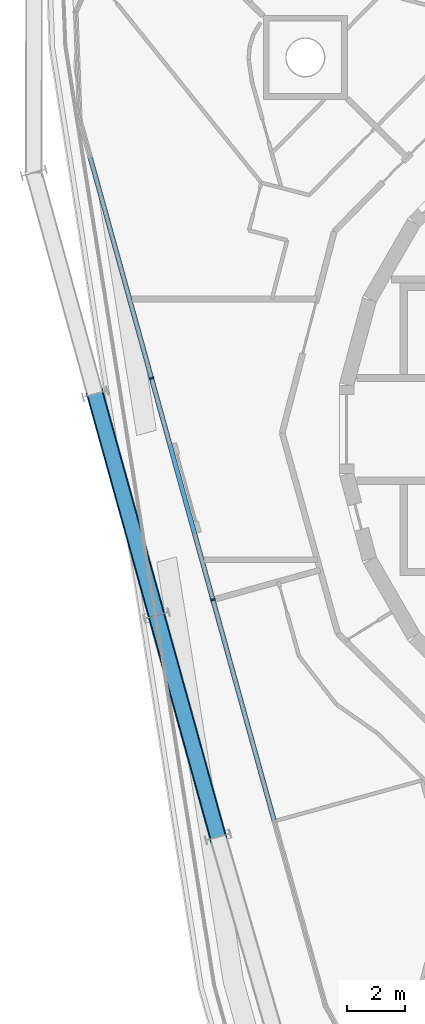
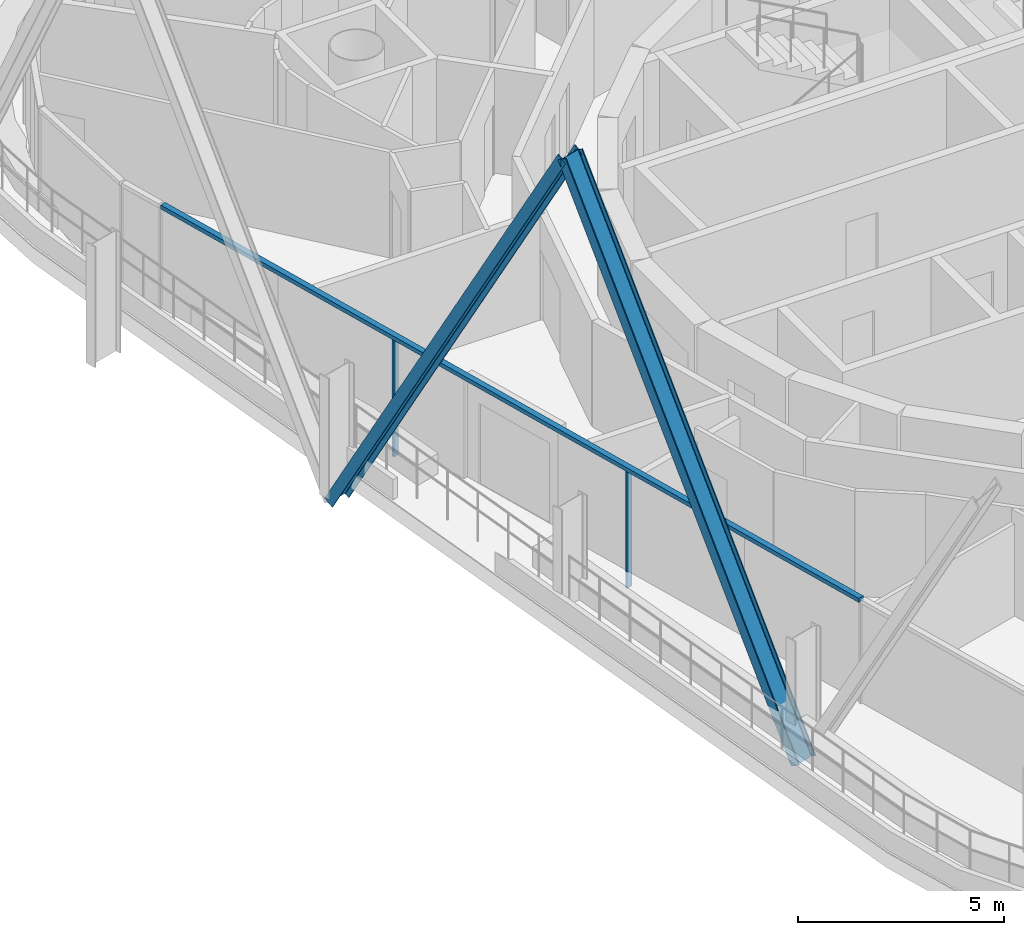
# One storey, part 3 of 18: 5 members, 1 element without a shape of its own.
"""IFC4 building model written with IfcOpenShell, lengths in metres."""

from ifc_helpers import new_model, si_unit, direction, frame, origin, origin_2d, place, context, subcontext, project, spatial, rectangle, i_section, extrude, material, layer, layer_set, material_profile, profile_set, type_object, element, aggregate, save


model = new_model("IFC4")

# Units and contexts
model_context = context("Model", 3, precision=1e-05, world=origin(), true_north=direction((0.0, 1.0)))
body_context = subcontext(model_context, "Body", "Model", "MODEL_VIEW")
ifc_project = project(units=[si_unit("LENGTHUNIT", "METRE"), si_unit("AREAUNIT", "SQUARE_METRE"), si_unit("VOLUMEUNIT", "CUBIC_METRE"), si_unit("PLANEANGLEUNIT", "RADIAN"), si_unit("MASSUNIT", "GRAM", prefix="KILO")], contexts=[model_context])

# Site, building, storey
site_placement = place(None, origin())
site = spatial("IfcSite", under=ifc_project, at=site_placement, CompositionType="ELEMENT")
building_placement = place(site_placement, origin())
building = spatial("IfcBuilding", under=site, at=building_placement, Name="Spindle Arch Residences", CompositionType="ELEMENT")
storey_placement = place(building_placement, frame((0.0, 0.0, 298.199951171875)))
storey = spatial("IfcBuildingStorey", under=building, at=storey_placement, Name="L76", CompositionType="ELEMENT", Elevation=298.199951171875)

# Curtain wall, members
ifc_material_1 = material(Name="Aluminium bronze unitised frame with tinted glass", Category="aluminium")
ifc_layer = layer(ifc_material_1, 0.159912109375)
ifc_layer_set = layer_set([ifc_layer], Name="CW-C typical residential unitised wall")
curtain_wall_type = type_object("IfcCurtainWallType", Name="CW-C typical residential unitised wall", PredefinedType="NOTDEFINED", material=ifc_layer_set)
curtain_wall_placement = place(storey_placement, origin())
curtain_wall = element("IfcCurtainWall", 1, at=curtain_wall_placement, inside=storey, type_object=curtain_wall_type, Name="CW-C L76 run 4", PredefinedType="NOTDEFINED")
ifc_material_2 = material(Name="Aluminium bronze anodised mullion", Category="aluminium")
ifc_material_profile_1 = material_profile(ifc_material_2, rectangle(XDim=0.159912109375, YDim=0.06005859375, at=origin_2d()), Name="MU 60x160")
ifc_profile_set_1 = profile_set([ifc_material_profile_1], Name="Aluminium bronze anodised mullion")
member_type_1 = type_object("IfcMemberType", Name="Bronze mullion 60x160", PredefinedType="MULLION", material=ifc_profile_set_1)
member_1_placement = place(storey_placement, frame((-18.384521484375, 1.763671875, -0.449951171875), z_axis=(0.0, 0.0, 1.0), x_axis=(0.963630453209, 0.267238376078, 0.0)))
member_1 = element("IfcMember", 2, at=member_1_placement, type_object=member_type_1, Name="CW-C mullion 12", PredefinedType="MULLION", context=body_context, shape_type="SweptSolid", body=[
    extrude(rectangle(XDim=0.159912109375, YDim=0.06005859375, at=origin_2d()), origin(), (0.0, 0.0, 1.0), 3.449951171875),
])
member_2_placement = place(storey_placement, frame((-16.263916015625, -5.8828125, -0.449951171875), z_axis=(0.0, 0.0, 1.0), x_axis=(0.963630453209, 0.267238376078, 0.0)))
member_2 = element("IfcMember", 3, at=member_2_placement, type_object=member_type_1, Name="CW-C mullion 13", PredefinedType="MULLION", context=body_context, shape_type="SweptSolid", body=[
    extrude(rectangle(XDim=0.159912109375, YDim=0.06005859375, at=origin_2d()), origin(), (0.0, 0.0, 1.0), 3.449951171875),
])
ifc_material_3 = material(Name="Aluminium bronze anodised transom", Category="aluminium")
ifc_material_profile_2 = material_profile(ifc_material_3, rectangle(XDim=0.159912109375, YDim=0.1201171875, at=origin_2d()), Name="TR 120x160")
ifc_profile_set_2 = profile_set([ifc_material_profile_2], Name="Aluminium bronze anodised transom")
member_type_2 = type_object("IfcMemberType", Name="Bronze transom 120x160", PredefinedType="USERDEFINED", material=ifc_profile_set_2)
member_3_placement = place(storey_placement, frame((-20.4970703125, 9.38134765625, 3.06005859375), z_axis=(0.267238704816, -0.963630362041, 0.0), x_axis=(0.963630362041, 0.267238704816, 0.0)))
member_3 = element("IfcMember", 4, at=member_3_placement, type_object=member_type_2, Name="CW-C transom 00", ObjectType="TRANSOM", PredefinedType="USERDEFINED", context=body_context, shape_type="SweptSolid", body=[
    extrude(rectangle(XDim=0.159912109375, YDim=0.1201171875, at=origin_2d()), origin(), (0.0, 0.0, 1.0), 23.745361328125),
])
aggregate(curtain_wall, [member_3, member_1, member_2])

# Members
ifc_material_4 = material(Name="Steel S460ML, intumescent coating R 240", Category="steel")
ifc_material_profile_3 = material_profile(ifc_material_4, i_section(OverallWidth=0.300048828125, OverallDepth=0.60009765625, WebThickness=0.015380859375, FlangeThickness=0.030029296875, FilletRadius=0.027099609375, at=origin_2d()), Name="HEB 600")
ifc_profile_set_3 = profile_set([ifc_material_profile_3], Name="Steel S460ML, intumescent coating R 240")
member_type_3 = type_object("IfcMemberType", Name="Diagrid diagonal HEB 600", PredefinedType="BRACE", material=ifc_profile_set_3)
for number, where, z_axis, x_axis, name in (
    (5, (-20.3310546875, 1.223876953125, -0.699951171875), (0.131264302979, -0.473367641829, 0.871029711567), (-0.232752539744, 0.839356309129, 0.491230334535), "Diagrid diagonal 8.1.13"),
    (6, (-16.090087890625, -14.069091796875, -0.699951171875), (-0.131279156426, 0.473366702656, 0.871027983422), (0.232776963388, -0.839347742727, 0.491233398799), "Diagrid diagonal 8.1.14"),
):
    element("IfcMember", number, at=place(storey_placement, frame(where, z_axis=z_axis, x_axis=x_axis)), inside=storey, type_object=member_type_3, Name=name, PredefinedType="BRACE", context=body_context, shape_type="SweptSolid", body=[
        extrude(i_section(OverallWidth=0.300048828125, OverallDepth=0.60009765625, WebThickness=0.015380859375, FlangeThickness=0.030029296875, FilletRadius=0.027099609375, at=origin_2d()), origin(), (0.0, 0.0, 1.0), 16.1533203125),
    ])

save(model, "model.ifc")
